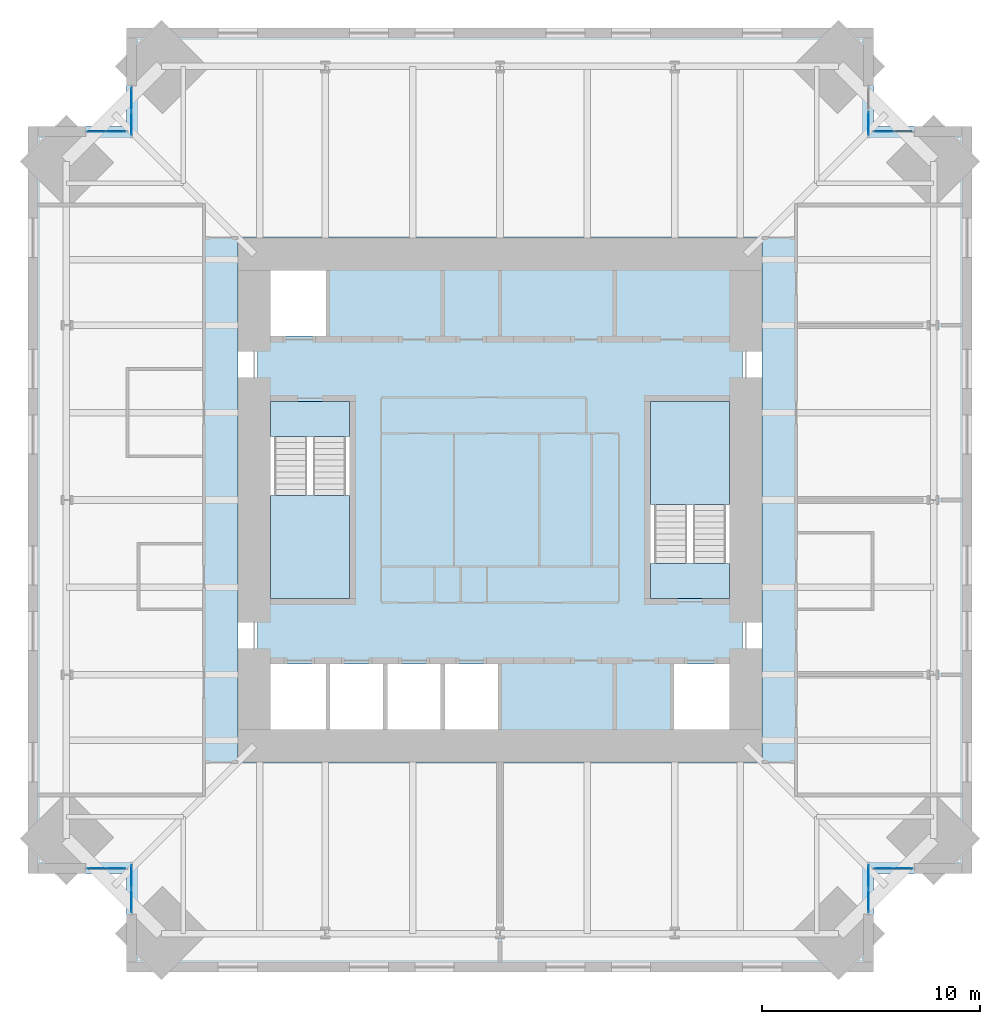
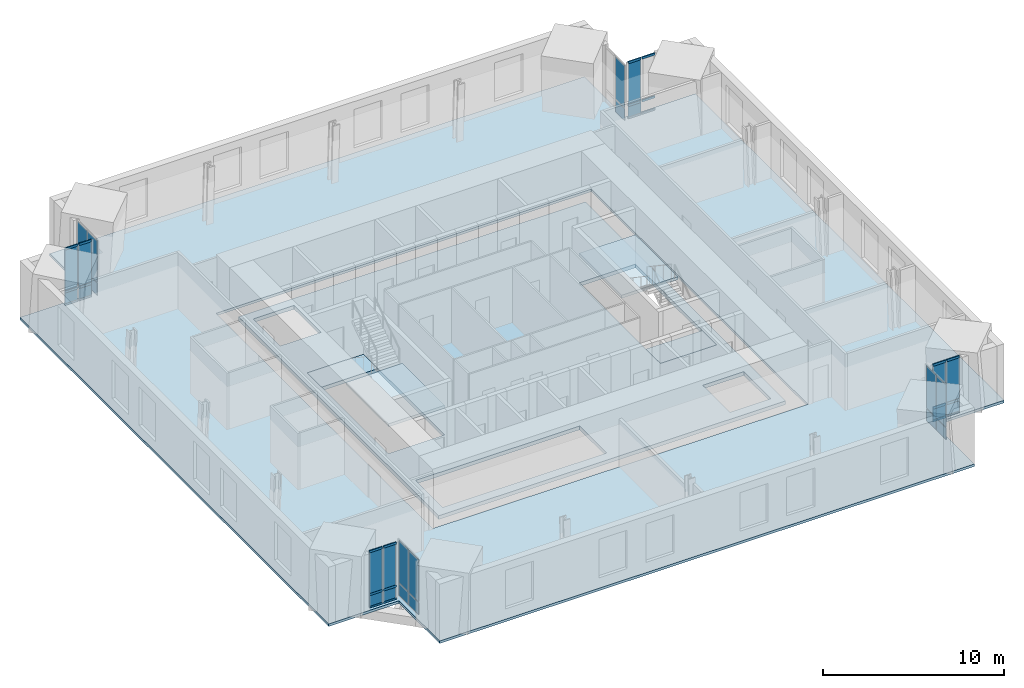
# One storey, part 10 of 16: 28 plates, 24 members, 6 slabs, 10 elements without a shape of their own.
"""IFC4 building model written with IfcOpenShell, lengths in metres."""

from ifc_helpers import new_model, si_unit, direction, frame, origin, origin_2d, place, context, subcontext, project, spatial, polyline, rectangle, hollow_rectangle, outline, extrude, material, layer, layer_set, material_profile, profile_set, type_object, element, aggregate, save


model = new_model("IFC4")

# Units and contexts
model_context = context("Model", 3, precision=1e-05, world=origin(), true_north=direction((0.0, 1.0)))
body_context = subcontext(model_context, "Body", "Model", "MODEL_VIEW")
ifc_project = project(units=[si_unit("LENGTHUNIT", "METRE"), si_unit("AREAUNIT", "SQUARE_METRE"), si_unit("VOLUMEUNIT", "CUBIC_METRE"), si_unit("PLANEANGLEUNIT", "RADIAN"), si_unit("MASSUNIT", "GRAM", prefix="KILO")], contexts=[model_context])

# Site, building, storey
site_placement = place(None, origin())
site = spatial("IfcSite", under=ifc_project, at=site_placement, CompositionType="ELEMENT")
building_placement = place(site_placement, origin())
building = spatial("IfcBuilding", under=site, at=building_placement, Name="Peilmerk Tower", CompositionType="ELEMENT")
storey_placement = place(building_placement, frame((0.0, 0.0, 273.800048828125)))
storey = spatial("IfcBuildingStorey", under=building, at=storey_placement, Name="L61", CompositionType="ELEMENT", Elevation=273.800048828125)

# Curtain wall, members
ifc_material_1 = material(Name="Aluminium stick curtain wall", Category="aluminium")
curtain_wall_type = type_object("IfcCurtainWallType", Name="CW4 stick curtain wall, 2250 module", PredefinedType="NOTDEFINED", material=ifc_material_1)
curtain_wall_1_placement = place(storey_placement, origin())
curtain_wall_1 = element("IfcCurtainWall", 1, at=curtain_wall_1_placement, inside=storey, type_object=curtain_wall_type, Name="Curtain wall CW4 NEB L61", PredefinedType="NOTDEFINED")
ifc_material_2 = material(Name="Aluminium EN AW-6063 T6", Category="aluminium")
ifc_material_profile = material_profile(ifc_material_2, hollow_rectangle(XDim=0.06494140625, YDim=0.14990234375, WallThickness=0.0029296875, at=origin_2d()), Name="AL 150x65x3")
ifc_profile_set = profile_set([ifc_material_profile], Name="Aluminium EN AW-6063 T6")
member_type = type_object("IfcMemberType", Name="CW4-T AL 150x65x3 transom", PredefinedType="USERDEFINED", material=ifc_profile_set)
member_1_placement = place(storey_placement, frame((17.1650390625, 16.875, 0.032470703125), z_axis=(1.0, 0.0, 0.0), x_axis=(0.0, 1.0, 0.0)))
member_1 = element("IfcMember", 2, at=member_1_placement, type_object=member_type, Name="CW4 transom 1.1", ObjectType="TRANSOM", PredefinedType="USERDEFINED", context=body_context, shape_type="SweptSolid", body=[
    extrude(hollow_rectangle(XDim=0.06494140625, YDim=0.14990234375, WallThickness=0.0029296875, at=origin_2d()), origin(), (0.0, 0.0, 1.0), 0.82177734375),
])
member_2_placement = place(storey_placement, frame((17.1650390625, 16.875, 0.89990234375), z_axis=(1.0, 0.0, 0.0), x_axis=(0.0, 1.0, 0.0)))
member_2 = element("IfcMember", 3, at=member_2_placement, type_object=member_type, Name="CW4 transom 1.2", ObjectType="TRANSOM", PredefinedType="USERDEFINED", context=body_context, shape_type="SweptSolid", body=[
    extrude(hollow_rectangle(XDim=0.06494140625, YDim=0.14990234375, WallThickness=0.0029296875, at=origin_2d()), origin(), (0.0, 0.0, 1.0), 0.82177734375),
])
member_3_placement = place(storey_placement, frame((17.1650390625, 16.875, 3.79736328125), z_axis=(1.0, 0.0, 0.0), x_axis=(0.0, 1.0, 0.0)))
member_3 = element("IfcMember", 4, at=member_3_placement, type_object=member_type, Name="CW4 transom 1.3", ObjectType="TRANSOM", PredefinedType="USERDEFINED", context=body_context, shape_type="SweptSolid", body=[
    extrude(hollow_rectangle(XDim=0.06494140625, YDim=0.14990234375, WallThickness=0.0029296875, at=origin_2d()), origin(), (0.0, 0.0, 1.0), 0.82177734375),
])
member_4_placement = place(storey_placement, frame((18.0517578125, 16.875, 0.032470703125), z_axis=(1.0, 0.0, 0.0), x_axis=(0.0, 1.0, 0.0)))
member_4 = element("IfcMember", 5, at=member_4_placement, type_object=member_type, Name="CW4 transom 2.1", ObjectType="TRANSOM", PredefinedType="USERDEFINED", context=body_context, shape_type="SweptSolid", body=[
    extrude(hollow_rectangle(XDim=0.06494140625, YDim=0.14990234375, WallThickness=0.0029296875, at=origin_2d()), origin(), (0.0, 0.0, 1.0), 0.822021484375),
])
member_5_placement = place(storey_placement, frame((18.0517578125, 16.875, 0.89990234375), z_axis=(1.0, 0.0, 0.0), x_axis=(0.0, 1.0, 0.0)))
member_5 = element("IfcMember", 6, at=member_5_placement, type_object=member_type, Name="CW4 transom 2.2", ObjectType="TRANSOM", PredefinedType="USERDEFINED", context=body_context, shape_type="SweptSolid", body=[
    extrude(hollow_rectangle(XDim=0.06494140625, YDim=0.14990234375, WallThickness=0.0029296875, at=origin_2d()), origin(), (0.0, 0.0, 1.0), 0.822021484375),
])
member_6_placement = place(storey_placement, frame((18.0517578125, 16.875, 3.79736328125), z_axis=(1.0, 0.0, 0.0), x_axis=(0.0, 1.0, 0.0)))
member_6 = element("IfcMember", 7, at=member_6_placement, type_object=member_type, Name="CW4 transom 2.3", ObjectType="TRANSOM", PredefinedType="USERDEFINED", context=body_context, shape_type="SweptSolid", body=[
    extrude(hollow_rectangle(XDim=0.06494140625, YDim=0.14990234375, WallThickness=0.0029296875, at=origin_2d()), origin(), (0.0, 0.0, 1.0), 0.822021484375),
])

curtain_wall_2_placement = place(storey_placement, origin())
curtain_wall_2 = element("IfcCurtainWall", 8, at=curtain_wall_2_placement, inside=storey, type_object=curtain_wall_type, Name="Curtain wall CW4 SEB L61", PredefinedType="NOTDEFINED")
member_7_placement = place(storey_placement, frame((17.1650390625, -16.875, 0.032470703125), z_axis=(1.0, 0.0, 0.0), x_axis=(0.0, 1.0, 0.0)))
member_7 = element("IfcMember", 9, at=member_7_placement, type_object=member_type, Name="CW4 transom 1.1", ObjectType="TRANSOM", PredefinedType="USERDEFINED", context=body_context, shape_type="SweptSolid", body=[
    extrude(hollow_rectangle(XDim=0.06494140625, YDim=0.14990234375, WallThickness=0.0029296875, at=origin_2d()), origin(), (0.0, 0.0, 1.0), 0.82177734375),
])
member_8_placement = place(storey_placement, frame((17.1650390625, -16.875, 0.89990234375), z_axis=(1.0, 0.0, 0.0), x_axis=(0.0, 1.0, 0.0)))
member_8 = element("IfcMember", 10, at=member_8_placement, type_object=member_type, Name="CW4 transom 1.2", ObjectType="TRANSOM", PredefinedType="USERDEFINED", context=body_context, shape_type="SweptSolid", body=[
    extrude(hollow_rectangle(XDim=0.06494140625, YDim=0.14990234375, WallThickness=0.0029296875, at=origin_2d()), origin(), (0.0, 0.0, 1.0), 0.82177734375),
])
member_9_placement = place(storey_placement, frame((17.1650390625, -16.875, 3.79736328125), z_axis=(1.0, 0.0, 0.0), x_axis=(0.0, 1.0, 0.0)))
member_9 = element("IfcMember", 11, at=member_9_placement, type_object=member_type, Name="CW4 transom 1.3", ObjectType="TRANSOM", PredefinedType="USERDEFINED", context=body_context, shape_type="SweptSolid", body=[
    extrude(hollow_rectangle(XDim=0.06494140625, YDim=0.14990234375, WallThickness=0.0029296875, at=origin_2d()), origin(), (0.0, 0.0, 1.0), 0.82177734375),
])
member_10_placement = place(storey_placement, frame((18.0517578125, -16.875, 0.032470703125), z_axis=(1.0, 0.0, 0.0), x_axis=(0.0, 1.0, 0.0)))
member_10 = element("IfcMember", 12, at=member_10_placement, type_object=member_type, Name="CW4 transom 2.1", ObjectType="TRANSOM", PredefinedType="USERDEFINED", context=body_context, shape_type="SweptSolid", body=[
    extrude(hollow_rectangle(XDim=0.06494140625, YDim=0.14990234375, WallThickness=0.0029296875, at=origin_2d()), origin(), (0.0, 0.0, 1.0), 0.822021484375),
])
member_11_placement = place(storey_placement, frame((18.0517578125, -16.875, 0.89990234375), z_axis=(1.0, 0.0, 0.0), x_axis=(0.0, 1.0, 0.0)))
member_11 = element("IfcMember", 13, at=member_11_placement, type_object=member_type, Name="CW4 transom 2.2", ObjectType="TRANSOM", PredefinedType="USERDEFINED", context=body_context, shape_type="SweptSolid", body=[
    extrude(hollow_rectangle(XDim=0.06494140625, YDim=0.14990234375, WallThickness=0.0029296875, at=origin_2d()), origin(), (0.0, 0.0, 1.0), 0.822021484375),
])
member_12_placement = place(storey_placement, frame((18.0517578125, -16.875, 3.79736328125), z_axis=(1.0, 0.0, 0.0), x_axis=(0.0, 1.0, 0.0)))
member_12 = element("IfcMember", 14, at=member_12_placement, type_object=member_type, Name="CW4 transom 2.3", ObjectType="TRANSOM", PredefinedType="USERDEFINED", context=body_context, shape_type="SweptSolid", body=[
    extrude(hollow_rectangle(XDim=0.06494140625, YDim=0.14990234375, WallThickness=0.0029296875, at=origin_2d()), origin(), (0.0, 0.0, 1.0), 0.822021484375),
])

curtain_wall_3_placement = place(storey_placement, origin())
curtain_wall_3 = element("IfcCurtainWall", 15, at=curtain_wall_3_placement, inside=storey, type_object=curtain_wall_type, Name="Curtain wall CW4 SWB L61", PredefinedType="NOTDEFINED")
member_13_placement = place(storey_placement, frame((-17.1650390625, -16.875, 0.032470703125), z_axis=(-1.0, 0.0, 0.0), x_axis=(0.0, -1.0, 0.0)))
member_13 = element("IfcMember", 16, at=member_13_placement, type_object=member_type, Name="CW4 transom 1.1", ObjectType="TRANSOM", PredefinedType="USERDEFINED", context=body_context, shape_type="SweptSolid", body=[
    extrude(hollow_rectangle(XDim=0.06494140625, YDim=0.14990234375, WallThickness=0.0029296875, at=origin_2d()), origin(), (0.0, 0.0, 1.0), 0.82177734375),
])
member_14_placement = place(storey_placement, frame((-17.1650390625, -16.875, 0.89990234375), z_axis=(-1.0, 0.0, 0.0), x_axis=(0.0, -1.0, 0.0)))
member_14 = element("IfcMember", 17, at=member_14_placement, type_object=member_type, Name="CW4 transom 1.2", ObjectType="TRANSOM", PredefinedType="USERDEFINED", context=body_context, shape_type="SweptSolid", body=[
    extrude(hollow_rectangle(XDim=0.06494140625, YDim=0.14990234375, WallThickness=0.0029296875, at=origin_2d()), origin(), (0.0, 0.0, 1.0), 0.82177734375),
])
member_15_placement = place(storey_placement, frame((-17.1650390625, -16.875, 3.79736328125), z_axis=(-1.0, 0.0, 0.0), x_axis=(0.0, -1.0, 0.0)))
member_15 = element("IfcMember", 18, at=member_15_placement, type_object=member_type, Name="CW4 transom 1.3", ObjectType="TRANSOM", PredefinedType="USERDEFINED", context=body_context, shape_type="SweptSolid", body=[
    extrude(hollow_rectangle(XDim=0.06494140625, YDim=0.14990234375, WallThickness=0.0029296875, at=origin_2d()), origin(), (0.0, 0.0, 1.0), 0.82177734375),
])
member_16_placement = place(storey_placement, frame((-18.0517578125, -16.875, 0.032470703125), z_axis=(-1.0, 0.0, 0.0), x_axis=(0.0, -1.0, 0.0)))
member_16 = element("IfcMember", 19, at=member_16_placement, type_object=member_type, Name="CW4 transom 2.1", ObjectType="TRANSOM", PredefinedType="USERDEFINED", context=body_context, shape_type="SweptSolid", body=[
    extrude(hollow_rectangle(XDim=0.06494140625, YDim=0.14990234375, WallThickness=0.0029296875, at=origin_2d()), origin(), (0.0, 0.0, 1.0), 0.822021484375),
])
member_17_placement = place(storey_placement, frame((-18.0517578125, -16.875, 0.89990234375), z_axis=(-1.0, 0.0, 0.0), x_axis=(0.0, -1.0, 0.0)))
member_17 = element("IfcMember", 20, at=member_17_placement, type_object=member_type, Name="CW4 transom 2.2", ObjectType="TRANSOM", PredefinedType="USERDEFINED", context=body_context, shape_type="SweptSolid", body=[
    extrude(hollow_rectangle(XDim=0.06494140625, YDim=0.14990234375, WallThickness=0.0029296875, at=origin_2d()), origin(), (0.0, 0.0, 1.0), 0.822021484375),
])
member_18_placement = place(storey_placement, frame((-18.0517578125, -16.875, 3.79736328125), z_axis=(-1.0, 0.0, 0.0), x_axis=(0.0, -1.0, 0.0)))
member_18 = element("IfcMember", 21, at=member_18_placement, type_object=member_type, Name="CW4 transom 2.3", ObjectType="TRANSOM", PredefinedType="USERDEFINED", context=body_context, shape_type="SweptSolid", body=[
    extrude(hollow_rectangle(XDim=0.06494140625, YDim=0.14990234375, WallThickness=0.0029296875, at=origin_2d()), origin(), (0.0, 0.0, 1.0), 0.822021484375),
])

curtain_wall_4_placement = place(storey_placement, origin())
curtain_wall_4 = element("IfcCurtainWall", 22, at=curtain_wall_4_placement, inside=storey, type_object=curtain_wall_type, Name="Curtain wall CW4 NWB L61", PredefinedType="NOTDEFINED")
member_19_placement = place(storey_placement, frame((-17.1650390625, 16.875, 0.032470703125), z_axis=(-1.0, 0.0, 0.0), x_axis=(0.0, -1.0, 0.0)))
member_19 = element("IfcMember", 23, at=member_19_placement, type_object=member_type, Name="CW4 transom 1.1", ObjectType="TRANSOM", PredefinedType="USERDEFINED", context=body_context, shape_type="SweptSolid", body=[
    extrude(hollow_rectangle(XDim=0.06494140625, YDim=0.14990234375, WallThickness=0.0029296875, at=origin_2d()), origin(), (0.0, 0.0, 1.0), 0.82177734375),
])
member_20_placement = place(storey_placement, frame((-17.1650390625, 16.875, 0.89990234375), z_axis=(-1.0, 0.0, 0.0), x_axis=(0.0, -1.0, 0.0)))
member_20 = element("IfcMember", 24, at=member_20_placement, type_object=member_type, Name="CW4 transom 1.2", ObjectType="TRANSOM", PredefinedType="USERDEFINED", context=body_context, shape_type="SweptSolid", body=[
    extrude(hollow_rectangle(XDim=0.06494140625, YDim=0.14990234375, WallThickness=0.0029296875, at=origin_2d()), origin(), (0.0, 0.0, 1.0), 0.82177734375),
])
member_21_placement = place(storey_placement, frame((-17.1650390625, 16.875, 3.79736328125), z_axis=(-1.0, 0.0, 0.0), x_axis=(0.0, -1.0, 0.0)))
member_21 = element("IfcMember", 25, at=member_21_placement, type_object=member_type, Name="CW4 transom 1.3", ObjectType="TRANSOM", PredefinedType="USERDEFINED", context=body_context, shape_type="SweptSolid", body=[
    extrude(hollow_rectangle(XDim=0.06494140625, YDim=0.14990234375, WallThickness=0.0029296875, at=origin_2d()), origin(), (0.0, 0.0, 1.0), 0.82177734375),
])
member_22_placement = place(storey_placement, frame((-18.0517578125, 16.875, 0.032470703125), z_axis=(-1.0, 0.0, 0.0), x_axis=(0.0, -1.0, 0.0)))
member_22 = element("IfcMember", 26, at=member_22_placement, type_object=member_type, Name="CW4 transom 2.1", ObjectType="TRANSOM", PredefinedType="USERDEFINED", context=body_context, shape_type="SweptSolid", body=[
    extrude(hollow_rectangle(XDim=0.06494140625, YDim=0.14990234375, WallThickness=0.0029296875, at=origin_2d()), origin(), (0.0, 0.0, 1.0), 0.822021484375),
])
member_23_placement = place(storey_placement, frame((-18.0517578125, 16.875, 0.89990234375), z_axis=(-1.0, 0.0, 0.0), x_axis=(0.0, -1.0, 0.0)))
member_23 = element("IfcMember", 27, at=member_23_placement, type_object=member_type, Name="CW4 transom 2.2", ObjectType="TRANSOM", PredefinedType="USERDEFINED", context=body_context, shape_type="SweptSolid", body=[
    extrude(hollow_rectangle(XDim=0.06494140625, YDim=0.14990234375, WallThickness=0.0029296875, at=origin_2d()), origin(), (0.0, 0.0, 1.0), 0.822021484375),
])
member_24_placement = place(storey_placement, frame((-18.0517578125, 16.875, 3.79736328125), z_axis=(-1.0, 0.0, 0.0), x_axis=(0.0, -1.0, 0.0)))
member_24 = element("IfcMember", 28, at=member_24_placement, type_object=member_type, Name="CW4 transom 2.3", ObjectType="TRANSOM", PredefinedType="USERDEFINED", context=body_context, shape_type="SweptSolid", body=[
    extrude(hollow_rectangle(XDim=0.06494140625, YDim=0.14990234375, WallThickness=0.0029296875, at=origin_2d()), origin(), (0.0, 0.0, 1.0), 0.822021484375),
])

# Slab
ifc_material_3 = material(Name="Concrete C55/67", Category="concrete")
ifc_layer_1 = layer(ifc_material_3, 0.25)
ifc_layer_set_1 = layer_set([ifc_layer_1], Name="Concrete C55/67")
slab_type_1 = type_object("IfcSlabType", Name="CS250 250 core floor slab", PredefinedType="FLOOR", material=ifc_layer_set_1)
slab_1_placement = place(storey_placement, frame((0.0, 0.0, -0.25)))
element("IfcSlab", 29, at=slab_1_placement, inside=storey, type_object=slab_type_1, Name="Core slab L61", PredefinedType="FLOOR", context=body_context, shape_type="SweptSolid", body=[
    extrude(outline(polyline([(11.10009765625, -11.10009765625), (11.10009765625, 11.10009765625), (-11.10009765625, 11.10009765625), (-11.10009765625, -11.10009765625), (11.10009765625, -11.10009765625)]), holes=[polyline([(-7.875, 7.5), (-10.5, 7.5), (-10.5, 10.5), (-7.875, 10.5), (-7.875, 7.5)]), polyline([(0.0, -10.5), (-10.5, -10.5), (-10.5, -7.5), (0.0, -7.5), (0.0, -10.5)]), polyline([(7.875, -10.5), (7.875, -7.5), (10.5, -7.5), (10.5, -10.5), (7.875, -10.5)]), polyline([(-10.5, 4.5), (-6.89990234375, 4.5), (-6.89990234375, -4.5), (-10.5, -4.5), (-10.5, 4.5)]), polyline([(10.5, 4.5), (10.5, -4.5), (6.89990234375, -4.5), (6.89990234375, 4.5), (10.5, 4.5)])]), origin(), (0.0, 0.0, 1.0), 0.25),
])

# Curtain wall, plates
curtain_wall_5_placement = place(storey_placement, origin())
curtain_wall_5 = element("IfcCurtainWall", 30, at=curtain_wall_5_placement, inside=storey, type_object=curtain_wall_type, Name="Curtain wall CW4 NEA L61", PredefinedType="NOTDEFINED")
ifc_material_4 = material(Name="Clear insulated glazing unit", Category="glass")
ifc_layer_2 = layer(ifc_material_4, 0.028076171875)
ifc_layer_set_2 = layer_set([ifc_layer_2], Name="Clear insulated glazing unit")
plate_type = type_object("IfcPlateType", Name="CW4-P 28 glazed panel", PredefinedType="CURTAIN_PANEL", material=ifc_layer_set_2)
plate_1_placement = place(storey_placement, frame((16.875, 17.238525390625, 0.06494140625), z_axis=(0.0, 0.0, 1.0), x_axis=(0.0, 1.0, 0.0)))
plate_1 = element("IfcPlate", 31, at=plate_1_placement, type_object=plate_type, Name="CW4 panel 1.1", PredefinedType="CURTAIN_PANEL", context=body_context, shape_type="SweptSolid", body=[
    extrude(rectangle(XDim=1.046875, YDim=0.028076171875, at=origin_2d()), origin(), (0.0, 0.0, 1.0), 0.802490234375),
])
plate_2_placement = place(storey_placement, frame((16.875, 17.238525390625, 0.932373046875), z_axis=(0.0, 0.0, 1.0), x_axis=(0.0, 1.0, 0.0)))
plate_2 = element("IfcPlate", 32, at=plate_2_placement, type_object=plate_type, Name="CW4 panel 1.2", PredefinedType="CURTAIN_PANEL", context=body_context, shape_type="SweptSolid", body=[
    extrude(rectangle(XDim=1.046875, YDim=0.028076171875, at=origin_2d()), origin(), (0.0, 0.0, 1.0), 2.83251953125),
])
aggregate(curtain_wall_5, [plate_1, plate_2])

# Plate
plate_3_placement = place(storey_placement, frame((17.575927734375, 16.875, 0.06494140625), z_axis=(0.0, 0.0, 1.0), x_axis=(1.0, 0.0, 0.0)))
plate_3 = element("IfcPlate", 33, at=plate_3_placement, type_object=plate_type, Name="CW4 panel 1.1", PredefinedType="CURTAIN_PANEL", context=body_context, shape_type="SweptSolid", body=[
    extrude(rectangle(XDim=0.82177734375, YDim=0.028076171875, at=origin_2d()), origin(), (0.0, 0.0, 1.0), 0.802490234375),
])

plate_4_placement = place(storey_placement, frame((17.575927734375, 16.875, 0.932373046875), z_axis=(0.0, 0.0, 1.0), x_axis=(1.0, 0.0, 0.0)))
plate_4 = element("IfcPlate", 34, at=plate_4_placement, type_object=plate_type, Name="CW4 panel 1.2", PredefinedType="CURTAIN_PANEL", context=body_context, shape_type="SweptSolid", body=[
    extrude(rectangle(XDim=0.82177734375, YDim=0.028076171875, at=origin_2d()), origin(), (0.0, 0.0, 1.0), 2.83251953125),
])

aggregate(curtain_wall_1, [member_1, member_2, member_3, plate_3, plate_4, member_4, member_5, member_6])

# Curtain wall, plates
curtain_wall_6_placement = place(storey_placement, origin())
curtain_wall_6 = element("IfcCurtainWall", 35, at=curtain_wall_6_placement, inside=storey, type_object=curtain_wall_type, Name="Curtain wall CW4 SEA L61", PredefinedType="NOTDEFINED")
plate_5_placement = place(storey_placement, frame((16.875, -17.238525390625, 0.06494140625), z_axis=(0.0, 0.0, 1.0), x_axis=(0.0, -1.0, 0.0)))
plate_5 = element("IfcPlate", 36, at=plate_5_placement, type_object=plate_type, Name="CW4 panel 1.1", PredefinedType="CURTAIN_PANEL", context=body_context, shape_type="SweptSolid", body=[
    extrude(rectangle(XDim=1.046875, YDim=0.028076171875, at=origin_2d()), origin(), (0.0, 0.0, 1.0), 0.802490234375),
])
plate_6_placement = place(storey_placement, frame((16.875, -17.238525390625, 0.932373046875), z_axis=(0.0, 0.0, 1.0), x_axis=(0.0, -1.0, 0.0)))
plate_6 = element("IfcPlate", 37, at=plate_6_placement, type_object=plate_type, Name="CW4 panel 1.2", PredefinedType="CURTAIN_PANEL", context=body_context, shape_type="SweptSolid", body=[
    extrude(rectangle(XDim=1.046875, YDim=0.028076171875, at=origin_2d()), origin(), (0.0, 0.0, 1.0), 2.83251953125),
])
plate_7_placement = place(storey_placement, frame((16.875, -18.350341796875, 0.06494140625), z_axis=(0.0, 0.0, 1.0), x_axis=(0.0, -1.0, 0.0)))
plate_7 = element("IfcPlate", 38, at=plate_7_placement, type_object=plate_type, Name="CW4 panel 2.1", PredefinedType="CURTAIN_PANEL", context=body_context, shape_type="SweptSolid", body=[
    extrude(rectangle(XDim=1.046875, YDim=0.028076171875, at=origin_2d()), origin(), (0.0, 0.0, 1.0), 0.802490234375),
])
plate_8_placement = place(storey_placement, frame((16.875, -18.350341796875, 0.932373046875), z_axis=(0.0, 0.0, 1.0), x_axis=(0.0, -1.0, 0.0)))
plate_8 = element("IfcPlate", 39, at=plate_8_placement, type_object=plate_type, Name="CW4 panel 2.2", PredefinedType="CURTAIN_PANEL", context=body_context, shape_type="SweptSolid", body=[
    extrude(rectangle(XDim=1.046875, YDim=0.028076171875, at=origin_2d()), origin(), (0.0, 0.0, 1.0), 2.83251953125),
])
aggregate(curtain_wall_6, [plate_5, plate_6, plate_7, plate_8])

# Plate
plate_9_placement = place(storey_placement, frame((17.575927734375, -16.875, 0.06494140625), z_axis=(0.0, 0.0, 1.0), x_axis=(1.0, 0.0, 0.0)))
plate_9 = element("IfcPlate", 40, at=plate_9_placement, type_object=plate_type, Name="CW4 panel 1.1", PredefinedType="CURTAIN_PANEL", context=body_context, shape_type="SweptSolid", body=[
    extrude(rectangle(XDim=0.82177734375, YDim=0.028076171875, at=origin_2d()), origin(), (0.0, 0.0, 1.0), 0.802490234375),
])

plate_10_placement = place(storey_placement, frame((17.575927734375, -16.875, 0.932373046875), z_axis=(0.0, 0.0, 1.0), x_axis=(1.0, 0.0, 0.0)))
plate_10 = element("IfcPlate", 41, at=plate_10_placement, type_object=plate_type, Name="CW4 panel 1.2", PredefinedType="CURTAIN_PANEL", context=body_context, shape_type="SweptSolid", body=[
    extrude(rectangle(XDim=0.82177734375, YDim=0.028076171875, at=origin_2d()), origin(), (0.0, 0.0, 1.0), 2.83251953125),
])

plate_11_placement = place(storey_placement, frame((18.462646484375, -16.875, 0.06494140625), z_axis=(0.0, 0.0, 1.0), x_axis=(1.0, 0.0, 0.0)))
plate_11 = element("IfcPlate", 42, at=plate_11_placement, type_object=plate_type, Name="CW4 panel 2.1", PredefinedType="CURTAIN_PANEL", context=body_context, shape_type="SweptSolid", body=[
    extrude(rectangle(XDim=0.82177734375, YDim=0.028076171875, at=origin_2d()), origin(), (0.0, 0.0, 1.0), 0.802490234375),
])

plate_12_placement = place(storey_placement, frame((18.462646484375, -16.875, 0.932373046875), z_axis=(0.0, 0.0, 1.0), x_axis=(1.0, 0.0, 0.0)))
plate_12 = element("IfcPlate", 43, at=plate_12_placement, type_object=plate_type, Name="CW4 panel 2.2", PredefinedType="CURTAIN_PANEL", context=body_context, shape_type="SweptSolid", body=[
    extrude(rectangle(XDim=0.82177734375, YDim=0.028076171875, at=origin_2d()), origin(), (0.0, 0.0, 1.0), 2.83251953125),
])

aggregate(curtain_wall_2, [member_7, member_8, member_9, plate_9, plate_10, member_10, member_11, member_12, plate_11, plate_12])

# Curtain wall, plates
curtain_wall_7_placement = place(storey_placement, origin())
curtain_wall_7 = element("IfcCurtainWall", 44, at=curtain_wall_7_placement, inside=storey, type_object=curtain_wall_type, Name="Curtain wall CW4 SWA L61", PredefinedType="NOTDEFINED")
plate_13_placement = place(storey_placement, frame((-16.875, -17.238525390625, 0.06494140625), z_axis=(0.0, 0.0, 1.0), x_axis=(0.0, -1.0, 0.0)))
plate_13 = element("IfcPlate", 45, at=plate_13_placement, type_object=plate_type, Name="CW4 panel 1.1", PredefinedType="CURTAIN_PANEL", context=body_context, shape_type="SweptSolid", body=[
    extrude(rectangle(XDim=1.046875, YDim=0.028076171875, at=origin_2d()), origin(), (0.0, 0.0, 1.0), 0.802490234375),
])
plate_14_placement = place(storey_placement, frame((-16.875, -17.238525390625, 0.932373046875), z_axis=(0.0, 0.0, 1.0), x_axis=(0.0, -1.0, 0.0)))
plate_14 = element("IfcPlate", 46, at=plate_14_placement, type_object=plate_type, Name="CW4 panel 1.2", PredefinedType="CURTAIN_PANEL", context=body_context, shape_type="SweptSolid", body=[
    extrude(rectangle(XDim=1.046875, YDim=0.028076171875, at=origin_2d()), origin(), (0.0, 0.0, 1.0), 2.83251953125),
])
plate_15_placement = place(storey_placement, frame((-16.875, -18.350341796875, 0.06494140625), z_axis=(0.0, 0.0, 1.0), x_axis=(0.0, -1.0, 0.0)))
plate_15 = element("IfcPlate", 47, at=plate_15_placement, type_object=plate_type, Name="CW4 panel 2.1", PredefinedType="CURTAIN_PANEL", context=body_context, shape_type="SweptSolid", body=[
    extrude(rectangle(XDim=1.046875, YDim=0.028076171875, at=origin_2d()), origin(), (0.0, 0.0, 1.0), 0.802490234375),
])
plate_16_placement = place(storey_placement, frame((-16.875, -18.350341796875, 0.932373046875), z_axis=(0.0, 0.0, 1.0), x_axis=(0.0, -1.0, 0.0)))
plate_16 = element("IfcPlate", 48, at=plate_16_placement, type_object=plate_type, Name="CW4 panel 2.2", PredefinedType="CURTAIN_PANEL", context=body_context, shape_type="SweptSolid", body=[
    extrude(rectangle(XDim=1.046875, YDim=0.028076171875, at=origin_2d()), origin(), (0.0, 0.0, 1.0), 2.83251953125),
])
aggregate(curtain_wall_7, [plate_13, plate_14, plate_15, plate_16])

# Plate
plate_17_placement = place(storey_placement, frame((-17.575927734375, -16.875, 0.06494140625), z_axis=(0.0, 0.0, 1.0), x_axis=(-1.0, 0.0, 0.0)))
plate_17 = element("IfcPlate", 49, at=plate_17_placement, type_object=plate_type, Name="CW4 panel 1.1", PredefinedType="CURTAIN_PANEL", context=body_context, shape_type="SweptSolid", body=[
    extrude(rectangle(XDim=0.82177734375, YDim=0.028076171875, at=origin_2d()), origin(), (0.0, 0.0, 1.0), 0.802490234375),
])

plate_18_placement = place(storey_placement, frame((-17.575927734375, -16.875, 0.932373046875), z_axis=(0.0, 0.0, 1.0), x_axis=(-1.0, 0.0, 0.0)))
plate_18 = element("IfcPlate", 50, at=plate_18_placement, type_object=plate_type, Name="CW4 panel 1.2", PredefinedType="CURTAIN_PANEL", context=body_context, shape_type="SweptSolid", body=[
    extrude(rectangle(XDim=0.82177734375, YDim=0.028076171875, at=origin_2d()), origin(), (0.0, 0.0, 1.0), 2.83251953125),
])

plate_19_placement = place(storey_placement, frame((-18.462646484375, -16.875, 0.06494140625), z_axis=(0.0, 0.0, 1.0), x_axis=(-1.0, 0.0, 0.0)))
plate_19 = element("IfcPlate", 51, at=plate_19_placement, type_object=plate_type, Name="CW4 panel 2.1", PredefinedType="CURTAIN_PANEL", context=body_context, shape_type="SweptSolid", body=[
    extrude(rectangle(XDim=0.82177734375, YDim=0.028076171875, at=origin_2d()), origin(), (0.0, 0.0, 1.0), 0.802490234375),
])

plate_20_placement = place(storey_placement, frame((-18.462646484375, -16.875, 0.932373046875), z_axis=(0.0, 0.0, 1.0), x_axis=(-1.0, 0.0, 0.0)))
plate_20 = element("IfcPlate", 52, at=plate_20_placement, type_object=plate_type, Name="CW4 panel 2.2", PredefinedType="CURTAIN_PANEL", context=body_context, shape_type="SweptSolid", body=[
    extrude(rectangle(XDim=0.82177734375, YDim=0.028076171875, at=origin_2d()), origin(), (0.0, 0.0, 1.0), 2.83251953125),
])

aggregate(curtain_wall_3, [member_13, member_14, member_15, plate_17, plate_18, member_16, member_17, member_18, plate_19, plate_20])

# Curtain wall, plates
curtain_wall_8_placement = place(storey_placement, origin())
curtain_wall_8 = element("IfcCurtainWall", 53, at=curtain_wall_8_placement, inside=storey, type_object=curtain_wall_type, Name="Curtain wall CW4 NWA L61", PredefinedType="NOTDEFINED")
plate_21_placement = place(storey_placement, frame((-16.875, 17.238525390625, 0.06494140625), z_axis=(0.0, 0.0, 1.0), x_axis=(0.0, 1.0, 0.0)))
plate_21 = element("IfcPlate", 54, at=plate_21_placement, type_object=plate_type, Name="CW4 panel 1.1", PredefinedType="CURTAIN_PANEL", context=body_context, shape_type="SweptSolid", body=[
    extrude(rectangle(XDim=1.046875, YDim=0.028076171875, at=origin_2d()), origin(), (0.0, 0.0, 1.0), 0.802490234375),
])
plate_22_placement = place(storey_placement, frame((-16.875, 17.238525390625, 0.932373046875), z_axis=(0.0, 0.0, 1.0), x_axis=(0.0, 1.0, 0.0)))
plate_22 = element("IfcPlate", 55, at=plate_22_placement, type_object=plate_type, Name="CW4 panel 1.2", PredefinedType="CURTAIN_PANEL", context=body_context, shape_type="SweptSolid", body=[
    extrude(rectangle(XDim=1.046875, YDim=0.028076171875, at=origin_2d()), origin(), (0.0, 0.0, 1.0), 2.83251953125),
])
plate_23_placement = place(storey_placement, frame((-16.875, 18.350341796875, 0.06494140625), z_axis=(0.0, 0.0, 1.0), x_axis=(0.0, 1.0, 0.0)))
plate_23 = element("IfcPlate", 56, at=plate_23_placement, type_object=plate_type, Name="CW4 panel 2.1", PredefinedType="CURTAIN_PANEL", context=body_context, shape_type="SweptSolid", body=[
    extrude(rectangle(XDim=1.046875, YDim=0.028076171875, at=origin_2d()), origin(), (0.0, 0.0, 1.0), 0.802490234375),
])
plate_24_placement = place(storey_placement, frame((-16.875, 18.350341796875, 0.932373046875), z_axis=(0.0, 0.0, 1.0), x_axis=(0.0, 1.0, 0.0)))
plate_24 = element("IfcPlate", 57, at=plate_24_placement, type_object=plate_type, Name="CW4 panel 2.2", PredefinedType="CURTAIN_PANEL", context=body_context, shape_type="SweptSolid", body=[
    extrude(rectangle(XDim=1.046875, YDim=0.028076171875, at=origin_2d()), origin(), (0.0, 0.0, 1.0), 2.83251953125),
])
aggregate(curtain_wall_8, [plate_21, plate_22, plate_23, plate_24])

# Plate
plate_25_placement = place(storey_placement, frame((-17.575927734375, 16.875, 0.06494140625), z_axis=(0.0, 0.0, 1.0), x_axis=(-1.0, 0.0, 0.0)))
plate_25 = element("IfcPlate", 58, at=plate_25_placement, type_object=plate_type, Name="CW4 panel 1.1", PredefinedType="CURTAIN_PANEL", context=body_context, shape_type="SweptSolid", body=[
    extrude(rectangle(XDim=0.82177734375, YDim=0.028076171875, at=origin_2d()), origin(), (0.0, 0.0, 1.0), 0.802490234375),
])

plate_26_placement = place(storey_placement, frame((-17.575927734375, 16.875, 0.932373046875), z_axis=(0.0, 0.0, 1.0), x_axis=(-1.0, 0.0, 0.0)))
plate_26 = element("IfcPlate", 59, at=plate_26_placement, type_object=plate_type, Name="CW4 panel 1.2", PredefinedType="CURTAIN_PANEL", context=body_context, shape_type="SweptSolid", body=[
    extrude(rectangle(XDim=0.82177734375, YDim=0.028076171875, at=origin_2d()), origin(), (0.0, 0.0, 1.0), 2.83251953125),
])

plate_27_placement = place(storey_placement, frame((-18.462646484375, 16.875, 0.06494140625), z_axis=(0.0, 0.0, 1.0), x_axis=(-1.0, 0.0, 0.0)))
plate_27 = element("IfcPlate", 60, at=plate_27_placement, type_object=plate_type, Name="CW4 panel 2.1", PredefinedType="CURTAIN_PANEL", context=body_context, shape_type="SweptSolid", body=[
    extrude(rectangle(XDim=0.82177734375, YDim=0.028076171875, at=origin_2d()), origin(), (0.0, 0.0, 1.0), 0.802490234375),
])

plate_28_placement = place(storey_placement, frame((-18.462646484375, 16.875, 0.932373046875), z_axis=(0.0, 0.0, 1.0), x_axis=(-1.0, 0.0, 0.0)))
plate_28 = element("IfcPlate", 61, at=plate_28_placement, type_object=plate_type, Name="CW4 panel 2.2", PredefinedType="CURTAIN_PANEL", context=body_context, shape_type="SweptSolid", body=[
    extrude(rectangle(XDim=0.82177734375, YDim=0.028076171875, at=origin_2d()), origin(), (0.0, 0.0, 1.0), 2.83251953125),
])

aggregate(curtain_wall_4, [member_19, member_20, member_21, plate_25, plate_26, member_22, member_23, member_24, plate_27, plate_28])

# Slab
ifc_material_5 = material(Name="Concrete C35/45", Category="concrete")
ifc_layer_3 = layer(ifc_material_5, 0.169921875)
ifc_layer_set_3 = layer_set([ifc_layer_3], Name="Concrete C35/45")
slab_type_2 = type_object("IfcSlabType", Name="FS170 170 composite floor slab", PredefinedType="FLOOR", material=ifc_layer_set_3)
slab_2_placement = place(storey_placement, frame((0.0, 0.0, -0.170166015625)))
element("IfcSlab", 62, at=slab_2_placement, inside=storey, type_object=slab_type_2, Name="Floor slab L61", PredefinedType="FLOOR", context=body_context, shape_type="SweptSolid", body=[
    extrude(outline(polyline([(-17.10009765625, -21.60009765625), (17.10009765625, -21.60009765625), (17.10009765625, -17.10009765625), (21.60009765625, -17.10009765625), (21.60009765625, 17.10009765625), (17.10009765625, 17.10009765625), (17.10009765625, 21.60009765625), (-17.10009765625, 21.60009765625), (-17.10009765625, 17.10009765625), (-21.60009765625, 17.10009765625), (-21.60009765625, -17.10009765625), (-17.10009765625, -17.10009765625), (-17.10009765625, -21.60009765625)]), holes=[polyline([(12.0, 12.0), (12.0, -12.0), (-12.0, -12.0), (-12.0, 12.0), (12.0, 12.0)])]), origin(), (0.0, 0.0, 1.0), 0.170166015625),
])

# Stair, slab
ifc_material_6 = material(Name="Precast concrete C45/55", Category="concrete")
stair_type_1 = type_object("IfcStairType", Name="ST1 22 risers of 181.8", PredefinedType="HALF_TURN_STAIR", material=ifc_material_6)
stair_1_placement = place(storey_placement, origin())
stair_1 = element("IfcStair", 63, at=stair_1_placement, inside=storey, type_object=stair_type_1, Name="Stair 1 L61 to L62", PredefinedType="HALF_TURN_STAIR")
ifc_layer_4 = layer(ifc_material_5, 0.199951171875)
ifc_layer_set_4 = layer_set([ifc_layer_4], Name="Concrete C35/45")
slab_type_3 = type_object("IfcSlabType", Name="SL1 200 concrete stair landing", PredefinedType="LANDING", material=ifc_layer_set_4)
slab_3_placement = place(storey_placement, frame((0.0, 0.0, 1.800048828125)))
slab_3 = element("IfcSlab", 64, at=slab_3_placement, type_object=slab_type_3, Name="ST1 landing 1", PredefinedType="LANDING", context=body_context, shape_type="SweptSolid", body=[
    extrude(outline(polyline([(-10.5, -4.5), (-6.89990234375, -4.5), (-6.89990234375, 0.199951171875), (-10.5, 0.199951171875), (-10.5, -4.5)])), origin(), (0.0, 0.0, 1.0), 0.199951171875),
])

stair_type_2 = type_object("IfcStairType", Name="ST2 22 risers of 181.8", PredefinedType="HALF_TURN_STAIR", material=ifc_material_6)
stair_2_placement = place(storey_placement, origin())
stair_2 = element("IfcStair", 65, at=stair_2_placement, inside=storey, type_object=stair_type_2, Name="Stair 2 L61 to L62", PredefinedType="HALF_TURN_STAIR")
slab_4_placement = place(storey_placement, frame((0.0, 0.0, 1.800048828125)))
slab_4 = element("IfcSlab", 66, at=slab_4_placement, type_object=slab_type_3, Name="ST2 landing 1", PredefinedType="LANDING", context=body_context, shape_type="SweptSolid", body=[
    extrude(outline(polyline([(6.89990234375, -0.199951171875), (10.5, -0.199951171875), (10.5, 4.5), (6.89990234375, 4.5), (6.89990234375, -0.199951171875)])), origin(), (0.0, 0.0, 1.0), 0.199951171875),
])

# Slab
ifc_layer_5 = layer(ifc_material_5, 0.25)
ifc_layer_set_5 = layer_set([ifc_layer_5], Name="Concrete C35/45")
slab_type_4 = type_object("IfcSlabType", Name="SL2 250 concrete floor landing", PredefinedType="LANDING", material=ifc_layer_set_5)
slab_5_placement = place(storey_placement, frame((0.0, 0.0, -0.25)))
slab_5 = element("IfcSlab", 67, at=slab_5_placement, type_object=slab_type_4, Name="ST1 floor landing", PredefinedType="LANDING", context=body_context, shape_type="SweptSolid", body=[
    extrude(outline(polyline([(-10.5, 2.89990234375), (-6.89990234375, 2.89990234375), (-6.89990234375, 4.5), (-10.5, 4.5), (-10.5, 2.89990234375)])), origin(), (0.0, 0.0, 1.0), 0.25),
])

aggregate(stair_1, [slab_3, slab_5])

slab_6_placement = place(storey_placement, frame((0.0, 0.0, -0.25)))
slab_6 = element("IfcSlab", 68, at=slab_6_placement, type_object=slab_type_4, Name="ST2 floor landing", PredefinedType="LANDING", context=body_context, shape_type="SweptSolid", body=[
    extrude(outline(polyline([(6.89990234375, -4.5), (10.5, -4.5), (10.5, -2.89990234375), (6.89990234375, -2.89990234375), (6.89990234375, -4.5)])), origin(), (0.0, 0.0, 1.0), 0.25),
])

aggregate(stair_2, [slab_4, slab_6])

save(model, "model.ifc")
